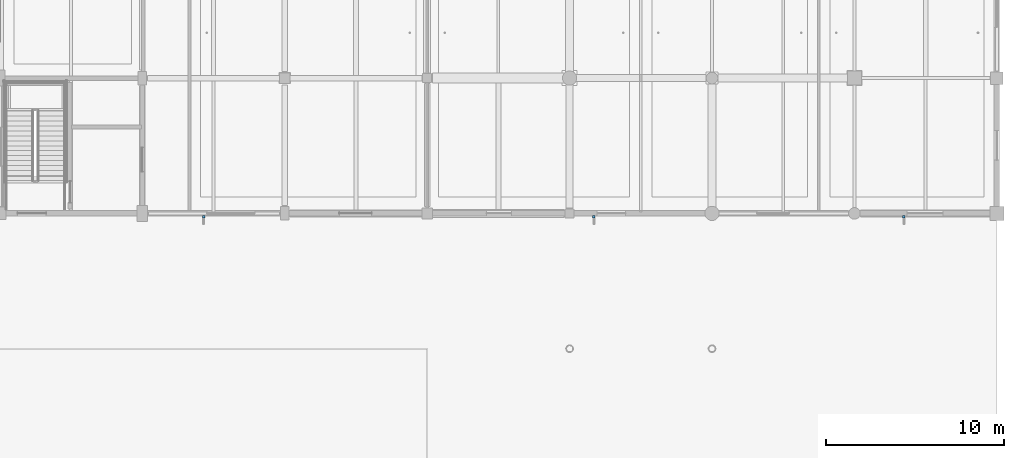
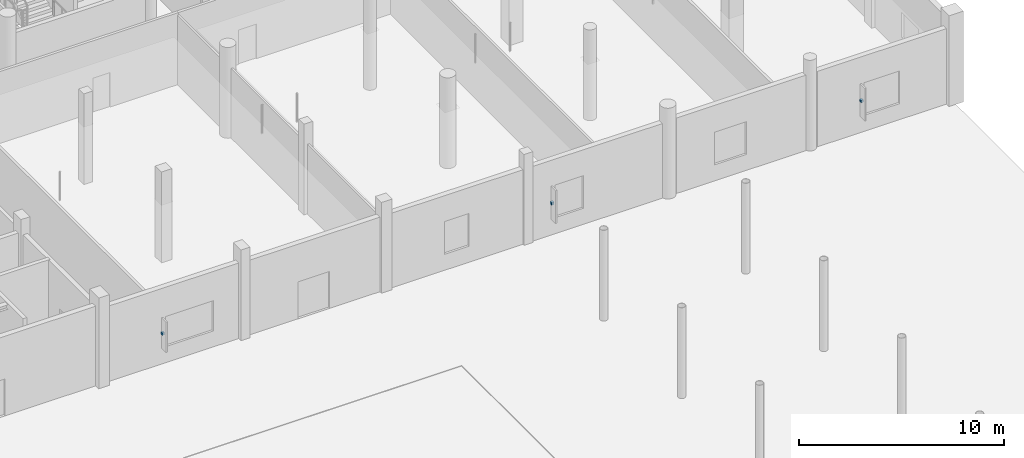
# One storey, part 106 of 126: 3 discrete accessories.
"""IFC4 building model written with IfcOpenShell, lengths in metres."""

from ifc_helpers import new_model, si_unit, direction, frame, origin, origin_2d, place, context, subcontext, project, spatial, rectangle, extrude, material, type_object, element, save


model = new_model("IFC4")

# Units and contexts
model_context = context("Model", 3, precision=1e-05, world=origin(), true_north=direction((0.0, 1.0)))
body_context = subcontext(model_context, "Body", "Model", "MODEL_VIEW")
ifc_project = project(units=[si_unit("LENGTHUNIT", "METRE"), si_unit("AREAUNIT", "SQUARE_METRE"), si_unit("VOLUMEUNIT", "CUBIC_METRE"), si_unit("PLANEANGLEUNIT", "RADIAN"), si_unit("MASSUNIT", "GRAM", prefix="KILO")], contexts=[model_context])

# Site, building, storey
site_placement = place(None, origin())
site = spatial("IfcSite", under=ifc_project, at=site_placement, CompositionType="ELEMENT")
building_placement = place(site_placement, origin())
building = spatial("IfcBuilding", under=site, at=building_placement, Name="Khelvaren Railside Concert Hall", CompositionType="ELEMENT")
storey_placement = place(building_placement, origin())
storey = spatial("IfcBuildingStorey", under=building, at=storey_placement, Name="L00", CompositionType="ELEMENT", Elevation=0.0)

# Discrete accessories
ifc_material = material(Name="Architectural stainless steel Grade 316", Category="steel")
discrete_accessory_type = type_object("IfcDiscreteAccessoryType", Name="BRK87", PredefinedType="BRACKET", material=ifc_material)
for number, where, z_axis, x_axis, name in (
    (1, (139.445068359375, 83.409912109375, 1.7802734375), (0.0, 0.0, 1.0), (-1.0, 0.0, 0.0), "Solar Fin Bracket EW-V5-L00-S-136"),
    (2, (161.3701171875, 83.409912109375, 1.85498046875), (0.0, 0.0, 1.0), (-1.0, 0.0, 0.0), "Solar Fin Bracket EW-V5-L00-S-160"),
    (3, (178.782470703125, 83.409912109375, 1.85498046875), (0.0, 0.0, 1.0), (-1.0, 0.0, 0.0), "Solar Fin Bracket EW-V5-L00-S-176"),
):
    element("IfcDiscreteAccessory", number, at=place(storey_placement, frame(where, z_axis=z_axis, x_axis=x_axis)), inside=storey, type_object=discrete_accessory_type, Name=name, PredefinedType="BRACKET", context=body_context, shape_type="SweptSolid", body=[
        extrude(rectangle(XDim=0.139892578125, YDim=0.159912109375, at=origin_2d()), origin(), (0.0, 0.0, 1.0), 0.139892578125),
    ])

save(model, "model.ifc")
